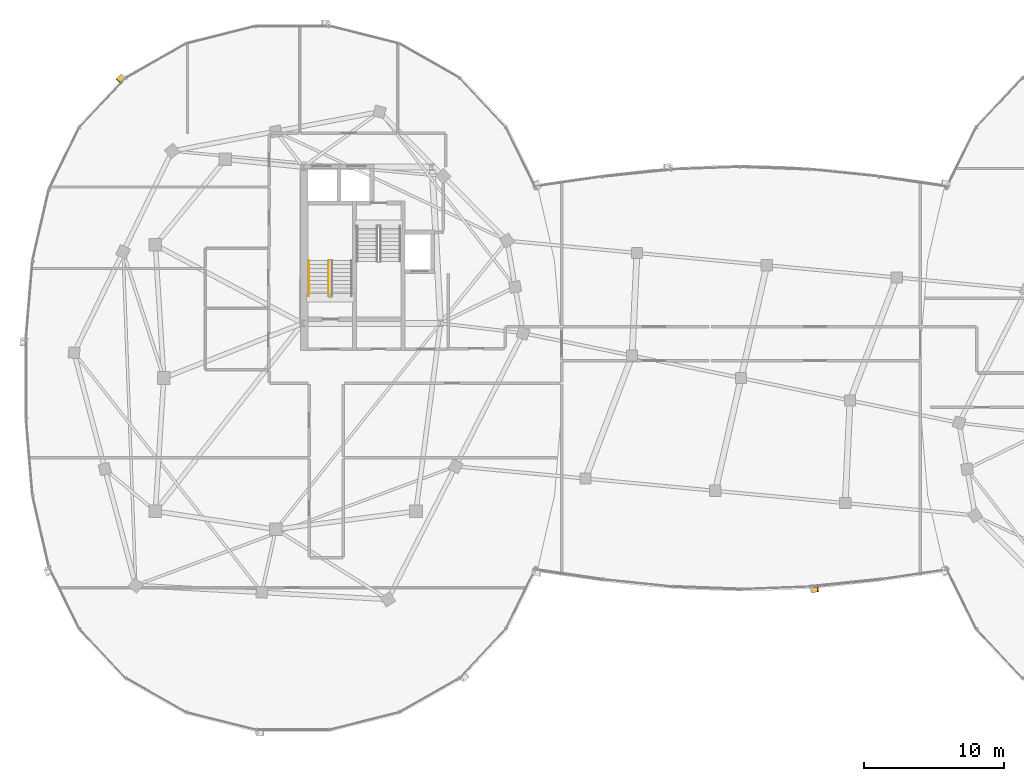
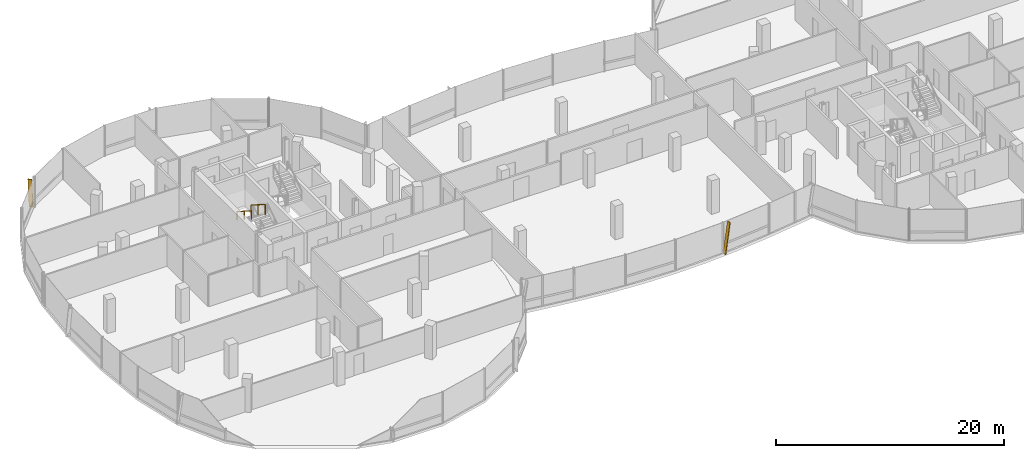
# One storey, part 23 of 26: 2 railings, 2 shading devices.
"""IFC4 building model written with IfcOpenShell, lengths in metres."""

import ifcopenshell
import ifcopenshell.guid

model = None  # the IFC model being written
_history = None  # IfcOwnerHistory: only IFC2X3 demands one
_inside = {}  # id of a spatial element -> (the spatial element, [elements in it])
_under = {}  # id of a project, library or spatial element -> (it, [spatial elements below it])
_declared = {}  # id of a project -> (the project, [libraries it declares])
_typed = {}  # id of a type object -> (the type object, [elements of that type])
_made_of = {}  # id of a material, layer set ... -> (it, [elements and type objects made of it])


def new_model(schema):
    """Start an empty IFC model of exactly this schema.

    Asked for "IFC4X3", IfcOpenShell would pick the latest addendum, in which some entities
    have other attributes; the version numbers below select the first issue.
    IFC2X3 requires an IfcOwnerHistory on every rooted entity: one is made here for all.
    """
    global model, _history
    if schema == "IFC4X3":
        model = ifcopenshell.file(schema_version=(4, 3, 0, 0))
    else:
        model = ifcopenshell.file(schema=schema)
    _inside.clear()
    _under.clear()
    _declared.clear()
    _typed.clear()
    _made_of.clear()
    _history = None
    if model.schema == "IFC2X3":
        org = make("IfcOrganization", Name="unknown")
        user = make(
            "IfcPersonAndOrganization",
            ThePerson=make("IfcPerson", FamilyName="unknown"),
            TheOrganization=org,
        )
        app = make(
            "IfcApplication",
            ApplicationDeveloper=org,
            Version="unknown",
            ApplicationFullName="unknown",
            ApplicationIdentifier="unknown",
        )
        _history = make(
            "IfcOwnerHistory",
            OwningUser=user,
            OwningApplication=app,
            ChangeAction="ADDED",
            CreationDate=0,
        )
    return model


def make(cls, **values):
    """One entity of the class cls with the attributes given. An attribute that is None is left unset."""
    return model.create_entity(
        cls, **{name: value for name, value in values.items() if value is not None}
    )


def rooted(cls, **values):
    """An entity with a GlobalId (a new one), such as an element, a storey or a relation."""
    return make(cls, GlobalId=ifcopenshell.guid.new(), OwnerHistory=_history, **values)


def si_unit(unit_type, name, prefix=None):
    """IfcSIUnit, for example si_unit("LENGTHUNIT", "METRE", prefix="MILLI")."""
    return make("IfcSIUnit", UnitType=unit_type, Prefix=prefix, Name=name)


def assignment(units):
    """IfcUnitAssignment: the units of a project."""
    return None if units is None else make("IfcUnitAssignment", Units=units)


def point(xyz):
    """IfcCartesianPoint."""
    return None if xyz is None else make("IfcCartesianPoint", Coordinates=xyz)


def direction(xyz):
    """IfcDirection."""
    return None if xyz is None else make("IfcDirection", DirectionRatios=xyz)


def frame(location, z_axis=None, x_axis=None):
    """IfcAxis2Placement3D, a coordinate frame: its origin and axes. An axis left out is left unset."""
    return make(
        "IfcAxis2Placement3D",
        Location=point(location),
        Axis=direction(z_axis),
        RefDirection=direction(x_axis),
    )


def frame_2d(location, x_axis=None):
    """IfcAxis2Placement2D, a coordinate frame in the plane: its origin and x axis."""
    return make(
        "IfcAxis2Placement2D", Location=point(location), RefDirection=direction(x_axis)
    )


def origin():
    """The frame at (0, 0, 0) with its axes left unset."""
    return frame((0.0, 0.0, 0.0))


def origin_2d():
    """The frame at (0, 0) in the plane with its x axis left unset."""
    return frame_2d((0.0, 0.0))


def place(relative_to, where):
    """IfcLocalPlacement: puts the frame where relative to a parent placement (None: the world)."""
    return make(
        "IfcLocalPlacement", PlacementRelTo=relative_to, RelativePlacement=where
    )


def context(
    kind, dimensions, precision=None, world=None, true_north=None, identifier=None
):
    """IfcGeometricRepresentationContext, for example the 3D "Model" context."""
    return make(
        "IfcGeometricRepresentationContext",
        ContextIdentifier=identifier,
        ContextType=kind,
        CoordinateSpaceDimension=dimensions,
        Precision=precision,
        WorldCoordinateSystem=world,
        TrueNorth=true_north,
    )


def subcontext(parent, identifier, kind, view, scale=None):
    """IfcGeometricRepresentationSubContext, for example "Body" below "Model"."""
    return make(
        "IfcGeometricRepresentationSubContext",
        ContextIdentifier=identifier,
        ContextType=kind,
        ParentContext=parent,
        TargetScale=scale,
        TargetView=view,
    )


def project(units=None, contexts=None):
    """IfcProject with its units and contexts."""
    return rooted(
        "IfcProject",
        Name="project",
        RepresentationContexts=contexts,
        UnitsInContext=assignment(units),
    )


def spatial(cls, under=None, at=None, **own):
    """A site, building, storey or space (cls), placed at a placement, below another one or the project."""
    s = rooted(cls, ObjectPlacement=at, **own)
    if under is not None:
        _under.setdefault(under.id(), (under, []))[1].append(s)
    return s


def profile(cls, at=None, kind="AREA", **sizes):
    """A parametric profile (cls). Its sizes go by their IFC names, for example OverallWidth=200.0."""
    return make(cls, ProfileType=kind, Position=at, **sizes)


def rectangle(**sizes):
    """IfcRectangleProfileDef."""
    return profile("IfcRectangleProfileDef", **sizes)


def extrude(swept, where, along, depth):
    """IfcExtrudedAreaSolid: the profile swept, set in the frame where, extruded along a direction by depth."""
    return make(
        "IfcExtrudedAreaSolid",
        SweptArea=swept,
        Position=where,
        ExtrudedDirection=direction(along),
        Depth=depth,
    )


def shape(context_of_items, identifier, shape_type, items):
    """IfcShapeRepresentation: the items that make up one representation, for example the "Body"."""
    return make(
        "IfcShapeRepresentation",
        ContextOfItems=context_of_items,
        RepresentationIdentifier=identifier,
        RepresentationType=shape_type,
        Items=items,
    )


def material(Name=None, Category=None):
    """IfcMaterial."""
    return make("IfcMaterial", Name=Name, Category=Category)


def material_profile(
    of_material, cross_section, Name=None, Category=None, Priority=None
):
    """IfcMaterialProfile: a cross section and its material."""
    return make(
        "IfcMaterialProfile",
        Name=Name,
        Material=of_material,
        Profile=cross_section,
        Priority=Priority,
        Category=Category,
    )


def profile_set(profiles, Name=None, composite=None):
    """IfcMaterialProfileSet."""
    return make(
        "IfcMaterialProfileSet",
        Name=Name,
        MaterialProfiles=profiles,
        CompositeProfile=composite,
    )


def made_of(thing, what):
    """Note that an element or type object is made of a material, layer set ...; save() writes the relation."""
    if what is not None:
        _made_of.setdefault(what.id(), (what, []))[1].append(thing)
    return thing


def type_object(cls, material=None, **own):
    """A type object (cls), such as IfcWallType, which elements share."""
    return made_of(rooted(cls, **own), material)


def element(
    cls,
    number,
    at=None,
    inside=None,
    cuts=None,
    type_object=None,
    material=None,
    context=None,
    identifier="Body",
    shape_type=None,
    held_by="IfcProductDefinitionShape",
    body=None,
    shapes=None,
    **own,
):
    """One element of the class cls, such as IfcWall. Its Tag is "e" and its number.

    at: its placement. inside: the storey or other place that contains it. cuts: it is an
    opening in that element (IfcRelVoidsElement). A single representation is given by context,
    identifier, shape_type and body (its items); several are given by shapes. held_by: the class
    of the entity that holds the representations. save() writes the other relations.
    """
    e = rooted(cls, Tag="e%d" % number, ObjectPlacement=at, **own)
    if body is not None:
        shapes = [shape(context, identifier, shape_type, body)]
    if shapes is not None:
        e.Representation = make(held_by, Representations=shapes)
    if inside is not None:
        _inside.setdefault(inside.id(), (inside, []))[1].append(e)
    if cuts is not None:
        rooted(
            "IfcRelVoidsElement", RelatingBuildingElement=cuts, RelatedOpeningElement=e
        )
    if type_object is not None:
        _typed.setdefault(type_object.id(), (type_object, []))[1].append(e)
    return made_of(e, material)


def aggregate(whole, parts):
    """IfcRelAggregates: a whole, such as a stair, and the parts it consists of."""
    return rooted("IfcRelAggregates", RelatingObject=whole, RelatedObjects=parts)


def save(model, path):
    """Write the relations noted so far, then the file.

    IfcRelAggregates (storeys below a building ...), IfcRelContainedInSpatialStructure (elements
    in a storey), IfcRelDefinesByType, IfcRelAssociatesMaterial and IfcRelDeclares: one each for
    every whole, place, type object, material and project.
    """
    for whole, parts in _under.values():
        aggregate(whole, parts)
    for where, things in _inside.values():
        rooted(
            "IfcRelContainedInSpatialStructure",
            RelatedElements=things,
            RelatingStructure=where,
        )
    for kind, things in _typed.values():
        rooted("IfcRelDefinesByType", RelatedObjects=things, RelatingType=kind)
    for what, things in _made_of.values():
        rooted("IfcRelAssociatesMaterial", RelatedObjects=things, RelatingMaterial=what)
    for by, libraries in _declared.values():
        rooted("IfcRelDeclares", RelatingContext=by, RelatedDefinitions=libraries)
    model.write(path)


model = new_model("IFC4")

# Units and contexts
model_context = context("Model", 3, precision=1e-05, world=origin(), true_north=direction((0.0, 1.0)))
body_context = subcontext(model_context, "Body", "Model", "MODEL_VIEW")
ifc_project = project(units=[si_unit("LENGTHUNIT", "METRE"), si_unit("AREAUNIT", "SQUARE_METRE"), si_unit("VOLUMEUNIT", "CUBIC_METRE"), si_unit("PLANEANGLEUNIT", "RADIAN"), si_unit("MASSUNIT", "GRAM", prefix="KILO"), si_unit("THERMODYNAMICTEMPERATUREUNIT", "KELVIN"), si_unit("POWERUNIT", "WATT")], contexts=[model_context])

# Site, building, storey
site_placement = place(None, origin())
site = spatial("IfcSite", under=ifc_project, at=site_placement, CompositionType="ELEMENT")
building_placement = place(site_placement, origin())
building = spatial("IfcBuilding", under=site, at=building_placement, Name="Cundina Bronze Exchange", CompositionType="ELEMENT")
storey_placement = place(building_placement, frame((0.0, 0.0, 261.199951171875)))
storey = spatial("IfcBuildingStorey", under=building, at=storey_placement, Name="L69", CompositionType="ELEMENT", Elevation=261.199951171875)

# Railings
ifc_material_1 = material(Name="Steel ASTM A36 Painted", Category="steel")
railing_type_1 = type_object("IfcRailingType", Name="RLG-HND-900", PredefinedType="HANDRAIL", material=ifc_material_1)
railing_1_placement = place(storey_placement, frame((-30.85009765625, 8.3701171875, 1.97998046875)))
element("IfcRailing", 1, at=railing_1_placement, inside=storey, type_object=railing_type_1, Name="L69 ST-W1 stair handrail 2", PredefinedType="HANDRAIL", context=body_context, shape_type="SweptSolid", body=[
    extrude(rectangle(XDim=0.048095703125, YDim=0.048095703125, at=origin_2d()), frame((0.0, 0.0, 0.8759765625), z_axis=(0.0, -0.841162588446, 0.540782303519), x_axis=(1.0, 0.0, 0.0)), (0.0, 0.0, 1.0), 2.995849609375),
    extrude(rectangle(XDim=0.0419921875, YDim=0.0419921875, at=origin_2d()), origin(), (0.0, 0.0, 1.0), 0.851806640625),
    extrude(rectangle(XDim=0.0419921875, YDim=0.0419921875, at=origin_2d()), frame((0.0, -1.260009765625, 0.81005859375)), (0.0, 0.0, 1.0), 0.851806640625),
    extrude(rectangle(XDim=0.0419921875, YDim=0.0419921875, at=origin_2d()), frame((0.0, -2.52001953125, 1.6201171875)), (0.0, 0.0, 1.0), 0.851806640625),
])
railing_type_2 = type_object("IfcRailingType", Name="RLG-STG-1100", PredefinedType="GUARDRAIL", material=ifc_material_1)
railing_2_placement = place(storey_placement, frame((-29.449951171875, 8.3701171875, 1.97998046875)))
element("IfcRailing", 2, at=railing_2_placement, inside=storey, type_object=railing_type_2, Name="L69 ST-W1 stair guard 3", PredefinedType="GUARDRAIL", context=body_context, shape_type="SweptSolid", body=[
    extrude(rectangle(XDim=0.048095703125, YDim=0.048095703125, at=origin_2d()), frame((0.0, 0.0, 1.076171875), z_axis=(0.0, -0.841162588446, 0.540782303519), x_axis=(1.0, 0.0, 0.0)), (0.0, 0.0, 1.0), 2.995849609375),
    extrude(rectangle(XDim=0.0419921875, YDim=0.0419921875, at=origin_2d()), origin(), (0.0, 0.0, 1.0), 1.052001953125),
    extrude(rectangle(XDim=0.0419921875, YDim=0.0419921875, at=origin_2d()), frame((0.0, -1.260009765625, 0.81005859375)), (0.0, 0.0, 1.0), 1.052001953125),
    extrude(rectangle(XDim=0.0419921875, YDim=0.0419921875, at=origin_2d()), frame((0.0, -2.52001953125, 1.6201171875)), (0.0, 0.0, 1.0), 1.052001953125),
])

# Shading devices
ifc_material_2 = material(Name="Anodised Bronze Aluminium 6063-T6", Category="aluminium")
ifc_material_profile = material_profile(ifc_material_2, rectangle(XDim=0.070068359375, YDim=0.3798828125, at=origin_2d()), Name="FIN70X380", Category="aluminium")
ifc_profile_set = profile_set([ifc_material_profile], Name="Anodised Bronze Aluminium 6063-T6")
shading_device_type = type_object("IfcShadingDeviceType", Name="SHD-FIN-BRZ380", PredefinedType="USERDEFINED", material=ifc_profile_set)
shading_device_1_placement = place(storey_placement, frame((-44.122314453125, 21.55078125, 0.02001953125), z_axis=(-0.098541444371, -0.10491076507, 0.989587446926), x_axis=(0.677505727677, 0.721296959704, 0.143932918008)))
element("IfcShadingDevice", 3, at=shading_device_1_placement, inside=storey, type_object=shading_device_type, Name="L69 Diagonal Bronze Solar Fin 1", ObjectType="FIN", PredefinedType="USERDEFINED", context=body_context, shape_type="SweptSolid", body=[
    extrude(rectangle(XDim=0.070068359375, YDim=0.3798828125, at=origin_2d()), origin(), (0.0, 0.0, 1.0), 3.334716796875),
])
shading_device_2_placement = place(storey_placement, frame((5.0146484375, -15.12890625, 0.02001953125), z_axis=(0.145724273631, 0.015056932621, 0.989210657471), x_axis=(-0.983972150742, -0.101668733734, 0.14650008582)))
element("IfcShadingDevice", 4, at=shading_device_2_placement, inside=storey, type_object=shading_device_type, Name="L69 Diagonal Bronze Solar Fin 5", ObjectType="FIN", PredefinedType="USERDEFINED", context=body_context, shape_type="SweptSolid", body=[
    extrude(rectangle(XDim=0.070068359375, YDim=0.3798828125, at=origin_2d()), origin(), (0.0, 0.0, 1.0), 3.275390625),
])

save(model, "model.ifc")
